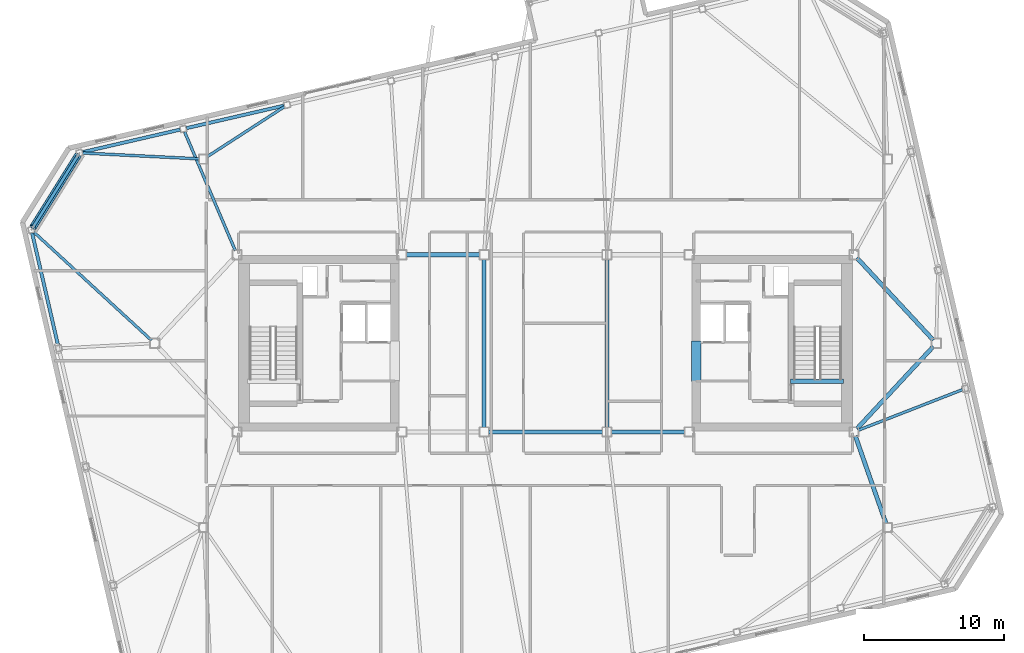
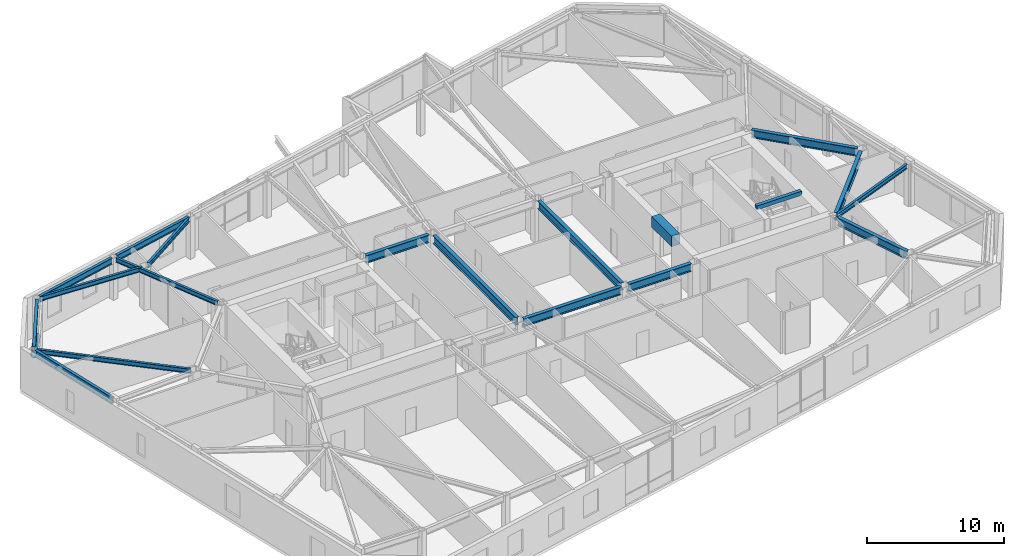
# One storey, part 12 of 22: 19 beams, 1 member.
"""IFC4 building model written with IfcOpenShell, lengths in metres."""

from ifc_helpers import new_model, si_unit, direction, frame, origin, origin_2d, place, context, subcontext, project, spatial, rectangle, hollow_circle, i_section, extrude, material, material_profile, profile_set, type_object, element, save


model = new_model("IFC4")

# Units and contexts
model_context = context("Model", 3, precision=1e-05, world=origin(), true_north=direction((0.0, 1.0)))
body_context = subcontext(model_context, "Body", "Model", "MODEL_VIEW")
ifc_project = project(units=[si_unit("LENGTHUNIT", "METRE"), si_unit("AREAUNIT", "SQUARE_METRE"), si_unit("VOLUMEUNIT", "CUBIC_METRE"), si_unit("PLANEANGLEUNIT", "RADIAN"), si_unit("MASSUNIT", "GRAM", prefix="KILO")], contexts=[model_context])

# Site, building, storey
site_placement = place(None, origin())
site = spatial("IfcSite", under=ifc_project, at=site_placement, CompositionType="ELEMENT")
building_placement = place(site_placement, origin())
building = spatial("IfcBuilding", under=site, at=building_placement, Name="Tavrogorsk Clinical Tower", CompositionType="ELEMENT")
storey_placement = place(building_placement, frame((0.0, 0.0, 317.0)))
storey = spatial("IfcBuildingStorey", under=building, at=storey_placement, Name="L74", CompositionType="ELEMENT", Elevation=317.0)

# Beam
ifc_material_1 = material(Name="Concrete B80", Category="concrete")
ifc_material_profile_1 = material_profile(ifc_material_1, rectangle(XDim=0.699951171875, YDim=0.949951171875, at=origin_2d()), Name="RC-CB-700x950")
ifc_profile_set_1 = profile_set([ifc_material_profile_1], Name="Concrete B80")
beam_type_1 = type_object("IfcBeamType", Name="CouplingBeam_RC700x950", PredefinedType="LINTEL", material=ifc_profile_set_1)
beam_1_placement = place(storey_placement, frame((10.800048828125, -2.75, 3.264892578125), z_axis=(0.0, 1.0, 0.0), x_axis=(-1.0, 0.0, 0.0)))
element("IfcBeam", 1, at=beam_1_placement, inside=storey, type_object=beam_type_1, Name="L74 Core East Coupling Beam", PredefinedType="LINTEL", context=body_context, shape_type="SweptSolid", body=[
    extrude(rectangle(XDim=0.699951171875, YDim=0.949951171875, at=origin_2d()), origin(), (0.0, 0.0, 1.0), 2.89990234375),
])

# Member
ifc_material_2 = material(Name="Structural steel S440", Category="steel")
ifc_material_profile_2 = material_profile(ifc_material_2, hollow_circle(Radius=0.25390625, WallThickness=0.02001953125, at=origin_2d()), Name="CHS-508x20")
ifc_profile_set_2 = profile_set([ifc_material_profile_2], Name="Structural steel S440")
member_type = type_object("IfcMemberType", Name="ExoBrace_CHS508", PredefinedType="BRACE", material=ifc_profile_set_2)
member_placement = place(storey_placement, frame((-33.501708984375, 13.4638671875, 0.393310546875), z_axis=(-0.485643868835, -0.777221605895, 0.400095748531), x_axis=(0.848056967697, -0.529905066536, 0.0)))
element("IfcMember", 2, at=member_placement, inside=storey, type_object=member_type, Name="L74 Corner Exoskeleton Brace N8-W1", PredefinedType="BRACE", context=body_context, shape_type="SweptSolid", body=[
    extrude(hollow_circle(Radius=0.25390625, WallThickness=0.02001953125, at=origin_2d()), origin(), (0.0, 0.0, 1.0), 6.63232421875),
])

# Beams
ifc_material_3 = material(Name="Structural steel S355", Category="steel")
ifc_material_profile_3 = material_profile(ifc_material_3, i_section(OverallWidth=0.199951171875, OverallDepth=0.39990234375, WebThickness=0.010498046875, FlangeThickness=0.01611328125, at=origin_2d()), Name="B-400x200x10.5x16")
ifc_profile_set_3 = profile_set([ifc_material_profile_3], Name="Structural steel S355")
beam_type_2 = type_object("IfcBeamType", Name="FloorBeam_B400", PredefinedType="BEAM", material=ifc_profile_set_3)
beam_2_placement = place(storey_placement, frame((-24.23974609375, 13.36865234375, 3.5400390625), z_axis=(0.839287867478, 0.543687295699, 0.0), x_axis=(-0.543687295699, 0.839287867478, 0.0)))
element("IfcBeam", 3, at=beam_2_placement, inside=storey, type_object=beam_type_2, Name="L74 Radial Floor Beam N6", PredefinedType="BEAM", context=body_context, shape_type="SweptSolid", body=[
    extrude(i_section(OverallWidth=0.199951171875, OverallDepth=0.39990234375, WebThickness=0.010498046875, FlangeThickness=0.01611328125, at=origin_2d()), origin(), (0.0, 0.0, 1.0), 6.592529296875),
])
beam_3_placement = place(storey_placement, frame((-22.2216796875, 6.635009765625, 3.5400390625), z_axis=(-0.392852744382, 0.919601392578, 0.0), x_axis=(-0.919601392578, -0.392852744382, 0.0)))
element("IfcBeam", 4, at=beam_3_placement, inside=storey, type_object=beam_type_2, Name="L74 Radial Floor Beam N7", PredefinedType="BEAM", context=body_context, shape_type="SweptSolid", body=[
    extrude(i_section(OverallWidth=0.199951171875, OverallDepth=0.39990234375, WebThickness=0.010498046875, FlangeThickness=0.01611328125, at=origin_2d()), origin(), (0.0, 0.0, 1.0), 9.25732421875),
])
beam_4_placement = place(storey_placement, frame((-24.8095703125, 13.215576171875, 3.5400390625), z_axis=(-0.998749933549, 0.049985700304, 0.0), x_axis=(-0.049985700304, -0.998749933549, 0.0)))
element("IfcBeam", 5, at=beam_4_placement, inside=storey, type_object=beam_type_2, Name="L74 Radial Floor Beam N8", PredefinedType="BEAM", context=body_context, shape_type="SweptSolid", body=[
    extrude(i_section(OverallWidth=0.199951171875, OverallDepth=0.39990234375, WebThickness=0.010498046875, FlangeThickness=0.01611328125, at=origin_2d()), origin(), (0.0, 0.0, 1.0), 8.35693359375),
])
beam_5_placement = place(storey_placement, frame((22.388916015625, -6.237548828125, 3.5400390625), z_axis=(0.931736989786, 0.363133834647, 0.0), x_axis=(-0.363133834647, 0.931736989786, 0.0)))
element("IfcBeam", 6, at=beam_5_placement, inside=storey, type_object=beam_type_2, Name="L74 Radial Floor Beam E2", PredefinedType="BEAM", context=body_context, shape_type="SweptSolid", body=[
    extrude(i_section(OverallWidth=0.199951171875, OverallDepth=0.39990234375, WebThickness=0.010498046875, FlangeThickness=0.01611328125, at=origin_2d()), origin(), (0.0, 0.0, 1.0), 8.01806640625),
])
beam_6_placement = place(storey_placement, frame((-28.228271484375, 0.2099609375, 3.5400390625), z_axis=(-0.735959452605, 0.677025615557, 0.0), x_axis=(-0.677025615557, -0.735959452605, 0.0)))
element("IfcBeam", 7, at=beam_6_placement, inside=storey, type_object=beam_type_2, Name="L74 Radial Floor Beam W1", PredefinedType="BEAM", context=body_context, shape_type="SweptSolid", body=[
    extrude(i_section(OverallWidth=0.199951171875, OverallDepth=0.39990234375, WebThickness=0.010498046875, FlangeThickness=0.01611328125, at=origin_2d()), origin(), (0.0, 0.0, 1.0), 11.462646484375),
])
ifc_material_4 = material(Name="Structural steel S390", Category="steel")
ifc_material_profile_4 = material_profile(ifc_material_4, i_section(OverallWidth=0.300048828125, OverallDepth=0.699951171875, WebThickness=0.01708984375, FlangeThickness=0.028076171875, at=origin_2d()), Name="B-700x300x17x28")
ifc_profile_set_4 = profile_set([ifc_material_profile_4], Name="Structural steel S390")
beam_type_3 = type_object("IfcBeamType", Name="PrimaryGirder_B700", PredefinedType="USERDEFINED", material=ifc_profile_set_4)
beam_7_placement = place(storey_placement, frame((-9.989990234375, 6.35009765625, 3.389892578125), z_axis=(1.0, 0.0, 0.0), x_axis=(0.0, 1.0, 0.0)))
element("IfcBeam", 8, at=beam_7_placement, inside=storey, type_object=beam_type_3, Name="L74 Primary Spine Girder MG-02", ObjectType="GIRDER", PredefinedType="USERDEFINED", context=body_context, shape_type="SweptSolid", body=[
    extrude(i_section(OverallWidth=0.300048828125, OverallDepth=0.699951171875, WebThickness=0.01708984375, FlangeThickness=0.028076171875, at=origin_2d()), origin(), (0.0, 0.0, 1.0), 5.280029296875),
])
beam_8_placement = place(storey_placement, frame((-4.090087890625, -6.35009765625, 3.389892578125), z_axis=(1.0, 0.0, 0.0), x_axis=(0.0, 1.0, 0.0)))
element("IfcBeam", 9, at=beam_8_placement, inside=storey, type_object=beam_type_3, Name="L74 Primary Spine Girder MG-03", ObjectType="GIRDER", PredefinedType="USERDEFINED", context=body_context, shape_type="SweptSolid", body=[
    extrude(i_section(OverallWidth=0.300048828125, OverallDepth=0.699951171875, WebThickness=0.01708984375, FlangeThickness=0.028076171875, at=origin_2d()), origin(), (0.0, 0.0, 1.0), 8.18017578125),
])
beam_9_placement = place(storey_placement, frame((4.7099609375, -6.35009765625, 3.389892578125), z_axis=(1.0, 0.0, 0.0), x_axis=(0.0, 1.0, 0.0)))
element("IfcBeam", 10, at=beam_9_placement, inside=storey, type_object=beam_type_3, Name="L74 Primary Spine Girder MG-05", ObjectType="GIRDER", PredefinedType="USERDEFINED", context=body_context, shape_type="SweptSolid", body=[
    extrude(i_section(OverallWidth=0.300048828125, OverallDepth=0.699951171875, WebThickness=0.01708984375, FlangeThickness=0.028076171875, at=origin_2d()), origin(), (0.0, 0.0, 1.0), 5.280029296875),
])
for number, where, z_axis, x_axis, name in (
    (11, (-4.39990234375, -6.0400390625, 3.389892578125), (0.0, 1.0, 0.0), (-1.0, 0.0, 0.0), "L74 Primary Spine Girder MG-07"),
    (12, (4.39990234375, -6.0400390625, 3.389892578125), (0.0, 1.0, 0.0), (-1.0, 0.0, 0.0), "L74 Primary Spine Girder MG-08"),
):
    element("IfcBeam", number, at=place(storey_placement, frame(where, z_axis=z_axis, x_axis=x_axis)), inside=storey, type_object=beam_type_3, Name=name, ObjectType="GIRDER", PredefinedType="USERDEFINED", context=body_context, shape_type="SweptSolid", body=[
        extrude(i_section(OverallWidth=0.300048828125, OverallDepth=0.699951171875, WebThickness=0.01708984375, FlangeThickness=0.028076171875, at=origin_2d()), origin(), (0.0, 0.0, 1.0), 12.080078125),
    ])
beam_10_placement = place(storey_placement, frame((24.3974609375, -12.907470703125, 3.389892578125), z_axis=(-0.330666578092, 0.943747643246, 0.0), x_axis=(-0.943747643246, -0.330666578092, 0.0)))
element("IfcBeam", 13, at=beam_10_placement, inside=storey, type_object=beam_type_3, Name="L74 Spine Link Girder OPG-2", ObjectType="GIRDER", PredefinedType="USERDEFINED", context=body_context, shape_type="SweptSolid", body=[
    extrude(i_section(OverallWidth=0.300048828125, OverallDepth=0.699951171875, WebThickness=0.01708984375, FlangeThickness=0.028076171875, at=origin_2d()), origin(), (0.0, 0.0, 1.0), 6.638427734375),
])
for number, where, z_axis, x_axis, name in (
    (14, (27.7890625, -0.22705078125, 3.389892578125), (-0.680677963005, -0.732582767119, 0.0), (0.732582767119, -0.680677963005, 0.0), "L74 Spine Link Girder OPG-7"),
    (15, (27.7890625, 0.22705078125, 3.389892578125), (-0.680677963005, 0.732582767119, 0.0), (-0.732582767119, -0.680677963005, 0.0), "L74 Spine Link Girder OPG-8"),
):
    element("IfcBeam", number, at=place(storey_placement, frame(where, z_axis=z_axis, x_axis=x_axis)), inside=storey, type_object=beam_type_3, Name=name, ObjectType="GIRDER", PredefinedType="USERDEFINED", context=body_context, shape_type="SweptSolid", body=[
        extrude(i_section(OverallWidth=0.300048828125, OverallDepth=0.699951171875, WebThickness=0.01708984375, FlangeThickness=0.028076171875, at=origin_2d()), origin(), (0.0, 0.0, 1.0), 8.0478515625),
    ])
ifc_material_5 = material(Name="Structural steel S390", Category="steel")
ifc_material_profile_5 = material_profile(ifc_material_5, i_section(OverallWidth=0.239990234375, OverallDepth=0.550048828125, WebThickness=0.013916015625, FlangeThickness=0.02197265625, at=origin_2d()), Name="B-550x240x14x22")
ifc_profile_set_5 = profile_set([ifc_material_profile_5], Name="Structural steel S390")
beam_type_4 = type_object("IfcBeamType", Name="SpandrelBeam_B550", PredefinedType="SPANDREL", material=ifc_profile_set_5)
beam_11_placement = place(storey_placement, frame((-18.73828125, 17.027099609375, 3.465087890625), z_axis=(-0.97437684326, -0.224921691527, 0.0), x_axis=(0.224921691527, -0.97437684326, 0.0)))
element("IfcBeam", 16, at=beam_11_placement, inside=storey, type_object=beam_type_4, Name="L74 Perimeter Spandrel N6-N7", PredefinedType="SPANDREL", context=body_context, shape_type="SweptSolid", body=[
    extrude(i_section(OverallWidth=0.239990234375, OverallDepth=0.550048828125, WebThickness=0.013916015625, FlangeThickness=0.02197265625, at=origin_2d()), origin(), (0.0, 0.0, 1.0), 7.168212890625),
])
beam_12_placement = place(storey_placement, frame((-26.177001953125, 15.309814453125, 3.465087890625), z_axis=(-0.974369378592, -0.224954026551, 0.0), x_axis=(0.224954026551, -0.974369378592, 0.0)))
element("IfcBeam", 17, at=beam_12_placement, inside=storey, type_object=beam_type_4, Name="L74 Perimeter Spandrel N7-N8", PredefinedType="SPANDREL", context=body_context, shape_type="SweptSolid", body=[
    extrude(i_section(OverallWidth=0.239990234375, OverallDepth=0.550048828125, WebThickness=0.013916015625, FlangeThickness=0.02197265625, at=origin_2d()), origin(), (0.0, 0.0, 1.0), 7.16845703125),
])
beam_13_placement = place(storey_placement, frame((-33.511962890625, 13.447265625, 3.465087890625), z_axis=(-0.529933531413, -0.848039180866, 0.0), x_axis=(0.848039180866, -0.529933531413, 0.0)))
element("IfcBeam", 18, at=beam_13_placement, inside=storey, type_object=beam_type_4, Name="L74 Perimeter Spandrel N8-W1", PredefinedType="SPANDREL", context=body_context, shape_type="SweptSolid", body=[
    extrude(i_section(OverallWidth=0.239990234375, OverallDepth=0.550048828125, WebThickness=0.013916015625, FlangeThickness=0.02197265625, at=origin_2d()), origin(), (0.0, 0.0, 1.0), 6.039306640625),
])
beam_14_placement = place(storey_placement, frame((-36.783447265625, 7.901123046875, 3.465087890625), z_axis=(0.224950345141, -0.974370228517, 0.0), x_axis=(0.974370228517, 0.224950345141, 0.0)))
element("IfcBeam", 19, at=beam_14_placement, inside=storey, type_object=beam_type_4, Name="L74 Perimeter Spandrel W1-W2", PredefinedType="SPANDREL", context=body_context, shape_type="SweptSolid", body=[
    extrude(i_section(OverallWidth=0.239990234375, OverallDepth=0.550048828125, WebThickness=0.013916015625, FlangeThickness=0.02197265625, at=origin_2d()), origin(), (0.0, 0.0, 1.0), 8.243896484375),
])
ifc_material_6 = material(Name="Concrete B60", Category="concrete")
ifc_material_profile_6 = material_profile(ifc_material_6, rectangle(XDim=0.300048828125, YDim=0.35009765625, at=origin_2d()), Name="RC-SHB-300x350")
ifc_profile_set_6 = profile_set([ifc_material_profile_6], Name="Concrete B60")
beam_type_5 = type_object("IfcBeamType", Name="StairHeaderBeam_RC300x350", PredefinedType="BEAM", material=ifc_profile_set_6)
beam_15_placement = place(storey_placement, frame((17.550048828125, -2.719970703125, 3.824951171875), z_axis=(1.0, 0.0, 0.0), x_axis=(0.0, 1.0, 0.0)))
element("IfcBeam", 20, at=beam_15_placement, inside=storey, type_object=beam_type_5, Name="L75 ST-E Landing Header Beam", PredefinedType="BEAM", context=body_context, shape_type="SweptSolid", body=[
    extrude(rectangle(XDim=0.300048828125, YDim=0.35009765625, at=origin_2d()), origin(), (0.0, 0.0, 1.0), 3.800048828125),
])

save(model, "model.ifc")
